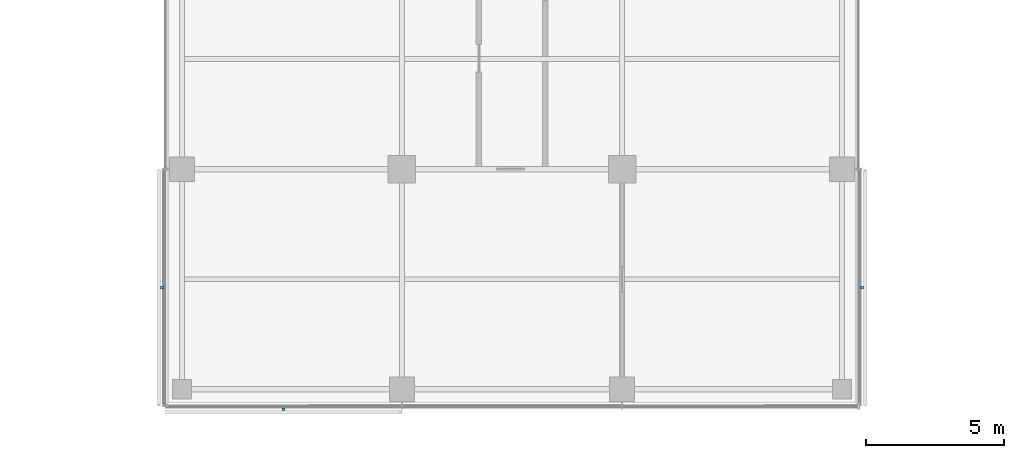
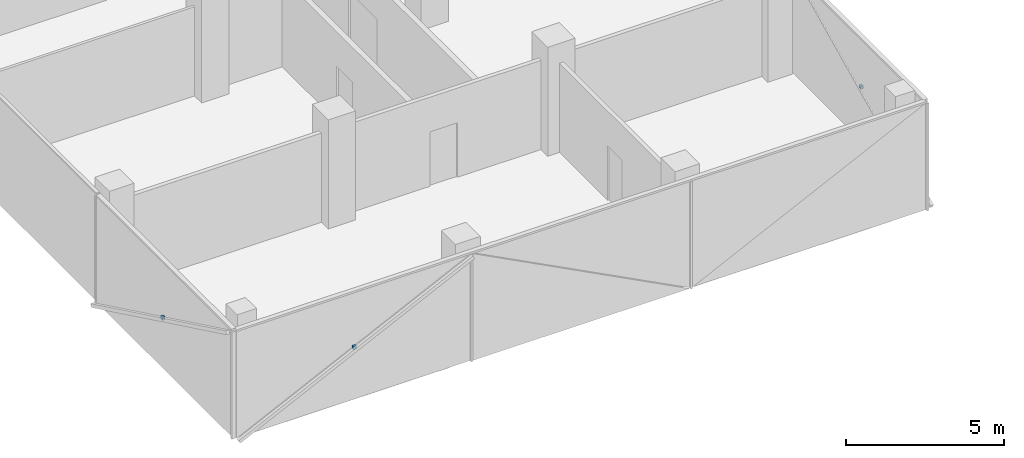
# One storey, part 18 of 22: 3 discrete accessories.
"""IFC4 building model written with IfcOpenShell, lengths in metres."""

from ifc_helpers import new_model, si_unit, direction, frame, origin, origin_2d, place, context, subcontext, project, spatial, rectangle, extrude, material, type_object, element, save


model = new_model("IFC4")

# Units and contexts
model_context = context("Model", 3, precision=1e-05, world=origin(), true_north=direction((0.0, 1.0)))
body_context = subcontext(model_context, "Body", "Model", "MODEL_VIEW")
ifc_project = project(units=[si_unit("LENGTHUNIT", "METRE"), si_unit("AREAUNIT", "SQUARE_METRE"), si_unit("VOLUMEUNIT", "CUBIC_METRE"), si_unit("PLANEANGLEUNIT", "RADIAN"), si_unit("MASSUNIT", "GRAM", prefix="KILO")], contexts=[model_context])

# Site, building, storey
site_placement = place(None, origin())
site = spatial("IfcSite", under=ifc_project, at=site_placement, CompositionType="ELEMENT")
building_placement = place(site_placement, origin())
building = spatial("IfcBuilding", under=site, at=building_placement, Name="Crosswind Convention Tower", CompositionType="ELEMENT")
storey_placement = place(building_placement, frame((0.0, 0.0, 146.300048828125)))
storey = spatial("IfcBuildingStorey", under=building, at=storey_placement, Name="L30", CompositionType="ELEMENT", Elevation=146.300048828125)

# Discrete accessories
ifc_material = material(Name="Stainless steel", Category="steel")
discrete_accessory_type = type_object("IfcDiscreteAccessoryType", Name="BAGUETTE BRACKET BK3", PredefinedType="BRACKET", material=ifc_material)
for number, where, z_axis, x_axis, name in (
    (1, (112.27392578125, 75.695068359375, 1.704833984375), (0.0, 0.0, 1.0), (0.0, -1.0, 0.0), "BK3 baguette bracket"),
    (2, (116.695068359375, 71.27392578125, 1.704833984375), (0.0, 0.0, 1.0), (1.0, 0.0, 0.0), "BK3 baguette bracket"),
    (3, (137.72607421875, 75.695068359375, 1.704833984375), (0.0, 0.0, 1.0), (0.0, 1.0, 0.0), "BK3 baguette bracket"),
):
    element("IfcDiscreteAccessory", number, at=place(storey_placement, frame(where, z_axis=z_axis, x_axis=x_axis)), inside=storey, type_object=discrete_accessory_type, Name=name, PredefinedType="BRACKET", context=body_context, shape_type="SweptSolid", body=[
        extrude(rectangle(XDim=0.1201171875, YDim=0.10009765625, at=origin_2d()), origin(), (0.0, 0.0, 1.0), 0.1201171875),
    ])

save(model, "model.ifc")
